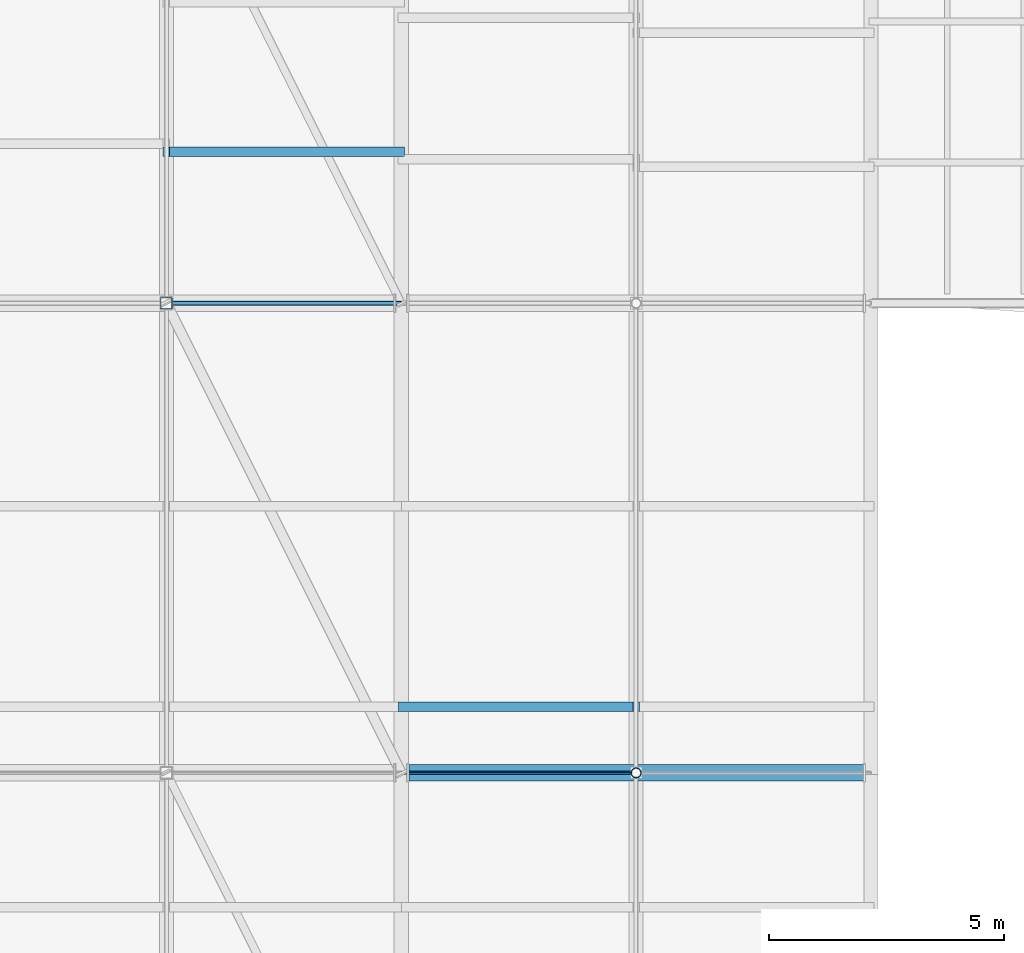
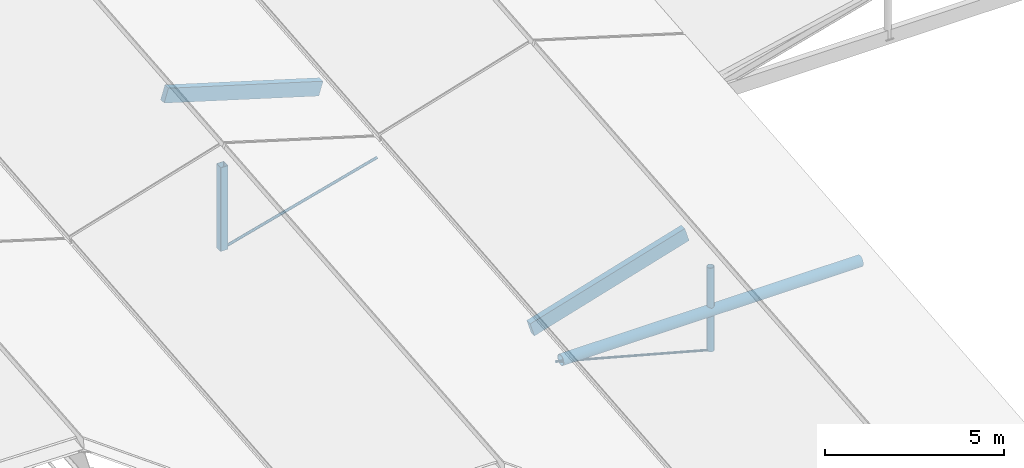
# One storey, part 42 of 90: 6 members, 1 beam.
"""IFC4 building model written with IfcOpenShell, lengths in metres."""

from ifc_helpers import new_model, si_unit, direction, frame, origin, origin_2d, place, context, subcontext, project, spatial, rectangle, hollow_rectangle, circle, hollow_circle, extrude, material, material_profile, profile_set, type_object, element, save


model = new_model("IFC4")

# Units and contexts
model_context = context("Model", 3, precision=1e-05, world=origin(), true_north=direction((0.0, 1.0)))
body_context = subcontext(model_context, "Body", "Model", "MODEL_VIEW")
ifc_project = project(units=[si_unit("LENGTHUNIT", "METRE"), si_unit("AREAUNIT", "SQUARE_METRE"), si_unit("VOLUMEUNIT", "CUBIC_METRE"), si_unit("PLANEANGLEUNIT", "RADIAN"), si_unit("MASSUNIT", "GRAM", prefix="KILO"), si_unit("THERMODYNAMICTEMPERATUREUNIT", "KELVIN"), si_unit("POWERUNIT", "WATT")], contexts=[model_context])

# Site, building, storey
site_placement = place(None, origin())
site = spatial("IfcSite", under=ifc_project, at=site_placement, CompositionType="ELEMENT")
building_placement = place(site_placement, origin())
building = spatial("IfcBuilding", under=site, at=building_placement, Name="Korenveer Ferry Terminal", CompositionType="ELEMENT")
storey_placement = place(building_placement, frame((0.0, 0.0, 22.199951171875)))
storey = spatial("IfcBuildingStorey", under=building, at=storey_placement, Name="RF", CompositionType="ELEMENT", Elevation=22.199951171875)

# Members
ifc_material_1 = material(Name="High-strength steel S460", Category="steel")
ifc_material_profile_1 = material_profile(ifc_material_1, circle(Radius=0.0380859375, at=origin_2d()), Name="ROD D76")
ifc_profile_set_1 = profile_set([ifc_material_profile_1], Name="High-strength steel S460")
member_type_1 = type_object("IfcMemberType", Name="STR-CBL-D76", PredefinedType="USERDEFINED", material=ifc_profile_set_1)
member_1_placement = place(storey_placement, frame((113.0, 70.0, -6.861572265625), z_axis=(0.965424337217, 0.0, -0.260683426993), x_axis=(0.0, 1.0, 0.0)))
element("IfcMember", 1, at=member_1_placement, inside=storey, type_object=member_type_1, Name="Roof tension tie cable 55", ObjectType="CABLE", PredefinedType="USERDEFINED", context=body_context, shape_type="SweptSolid", body=[
    extrude(circle(Radius=0.0380859375, at=origin_2d()), origin(), (0.0, 0.0, 1.0), 5.178955078125),
])
ifc_material_profile_2 = material_profile(ifc_material_1, circle(Radius=0.044921875, at=origin_2d()), Name="ROD D90")
ifc_profile_set_2 = profile_set([ifc_material_profile_2], Name="High-strength steel S460")
member_type_2 = type_object("IfcMemberType", Name="STR-CBL-D90", PredefinedType="USERDEFINED", material=ifc_profile_set_2)
member_2_placement = place(storey_placement, frame((113.0, 80.0, -5.95361328125), z_axis=(-0.965424337217, 0.0, -0.260683426993), x_axis=(0.0, -1.0, 0.0)))
element("IfcMember", 2, at=member_2_placement, inside=storey, type_object=member_type_2, Name="Roof tension tie cable 68", ObjectType="CABLE", PredefinedType="USERDEFINED", context=body_context, shape_type="SweptSolid", body=[
    extrude(circle(Radius=0.044921875, at=origin_2d()), origin(), (0.0, 0.0, 1.0), 5.178955078125),
])
ifc_material_2 = material(Name="Glulam GL28h", Category="wood")
ifc_material_profile_3 = material_profile(ifc_material_2, rectangle(XDim=0.199951171875, YDim=0.47998046875, at=origin_2d()), Name="GL 200x480")
ifc_profile_set_3 = profile_set([ifc_material_profile_3], Name="Glulam GL28h")
member_type_3 = type_object("IfcMemberType", Name="STR-PUR-GL200", PredefinedType="PURLIN", material=ifc_profile_set_3)
for number, where, z_axis, x_axis, name in (
    (3, (108.0, 83.229248046875, -3.992431640625), (0.957310140112, 0.0, -0.289062788401), (0.0, 1.0, 0.0), "Folded roof glulam purlin 211"),
    (4, (113.0, 71.4072265625, -6.575439453125), (0.957323074362, 0.0, 0.289019949647), (0.0, 1.0, 0.0), "Folded roof glulam purlin 233"),
):
    element("IfcMember", number, at=place(storey_placement, frame(where, z_axis=z_axis, x_axis=x_axis)), inside=storey, type_object=member_type_3, Name=name, PredefinedType="PURLIN", context=body_context, shape_type="SweptSolid", body=[
        extrude(rectangle(XDim=0.199951171875, YDim=0.47998046875, at=origin_2d()), origin(), (0.0, 0.0, 1.0), 5.222900390625),
    ])

# Beam
ifc_material_3 = material(Name="Steel S355", Category="steel")
ifc_material_profile_4 = material_profile(ifc_material_3, hollow_circle(Radius=0.177734375, WallThickness=0.01611328125, at=origin_2d()), Name="CHS 355.6x16")
ifc_profile_set_4 = profile_set([ifc_material_profile_4], Name="Steel S355")
beam_type = type_object("IfcBeamType", Name="STR-RFG-CHS355", PredefinedType="USERDEFINED", material=ifc_profile_set_4)
beam_placement = place(storey_placement, frame((113.159912109375, 70.0, -6.861572265625), z_axis=(1.0, 0.0, 0.0), x_axis=(0.0, 1.0, 0.0)))
element("IfcBeam", 5, at=beam_placement, inside=storey, type_object=beam_type, Name="Roof transverse tie girder 116", ObjectType="ROOF GIRDER", PredefinedType="USERDEFINED", context=body_context, shape_type="SweptSolid", body=[
    extrude(hollow_circle(Radius=0.177734375, WallThickness=0.01611328125, at=origin_2d()), origin(), (0.0, 0.0, 1.0), 9.68017578125),
])

# Members
ifc_material_profile_5 = material_profile(ifc_material_3, hollow_circle(Radius=0.109619140625, WallThickness=0.012451171875, at=origin_2d()), Name="CHS 219.1x12.5")
ifc_profile_set_5 = profile_set([ifc_material_profile_5], Name="Steel S355")
member_type_4 = type_object("IfcMemberType", Name="STR-STT-CHS219", PredefinedType="STRUT", material=ifc_profile_set_5)
member_3_placement = place(storey_placement, frame((118.0, 70.0, -8.211669921875), z_axis=(0.0, 0.0, 1.0), x_axis=(1.0, 0.0, 0.0)))
element("IfcMember", 6, at=member_3_placement, inside=storey, type_object=member_type_4, Name="Roof king-post strut STTKP-Y70-B6", PredefinedType="STRUT", context=body_context, shape_type="SweptSolid", body=[
    extrude(hollow_circle(Radius=0.109619140625, WallThickness=0.012451171875, at=origin_2d()), origin(), (0.0, 0.0, 1.0), 2.859619140625),
])
ifc_material_profile_6 = material_profile(ifc_material_3, hollow_rectangle(XDim=0.25, YDim=0.25, WallThickness=0.012451171875, InnerFilletRadius=0.012451171875, OuterFilletRadius=0.018798828125, at=origin_2d()), Name="SHS 250x250x12.5")
ifc_profile_set_6 = profile_set([ifc_material_profile_6], Name="Steel S355")
member_type_5 = type_object("IfcMemberType", Name="STR-STT-SHS250", PredefinedType="STRUT", material=ifc_profile_set_6)
member_4_placement = place(storey_placement, frame((108.0, 80.0, -7.3037109375), z_axis=(0.0, 0.0, 1.0), x_axis=(1.0, 0.0, 0.0)))
element("IfcMember", 7, at=member_4_placement, inside=storey, type_object=member_type_5, Name="Roof king-post strut STTKP-Y80-B5", PredefinedType="STRUT", context=body_context, shape_type="SweptSolid", body=[
    extrude(hollow_rectangle(XDim=0.25, YDim=0.25, WallThickness=0.012451171875, InnerFilletRadius=0.012451171875, OuterFilletRadius=0.018798828125, at=origin_2d()), origin(), (0.0, 0.0, 1.0), 2.85986328125),
])

save(model, "model.ifc")
